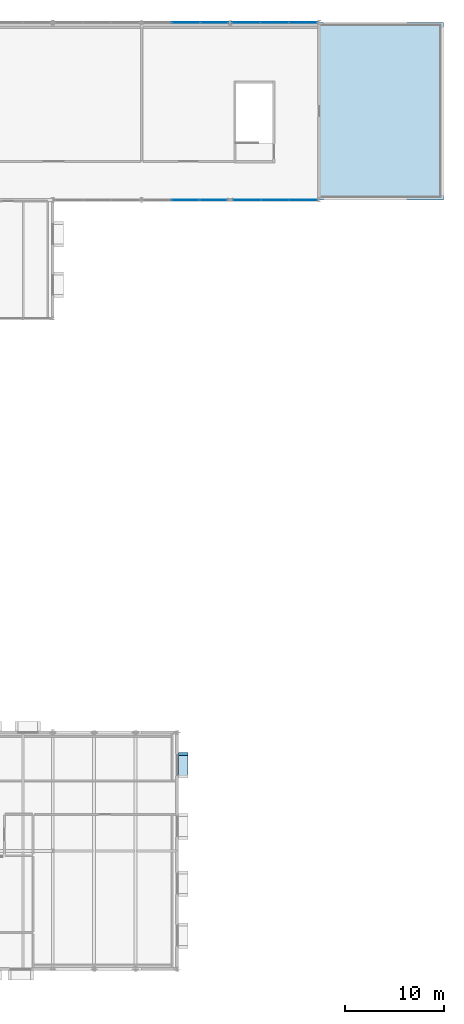
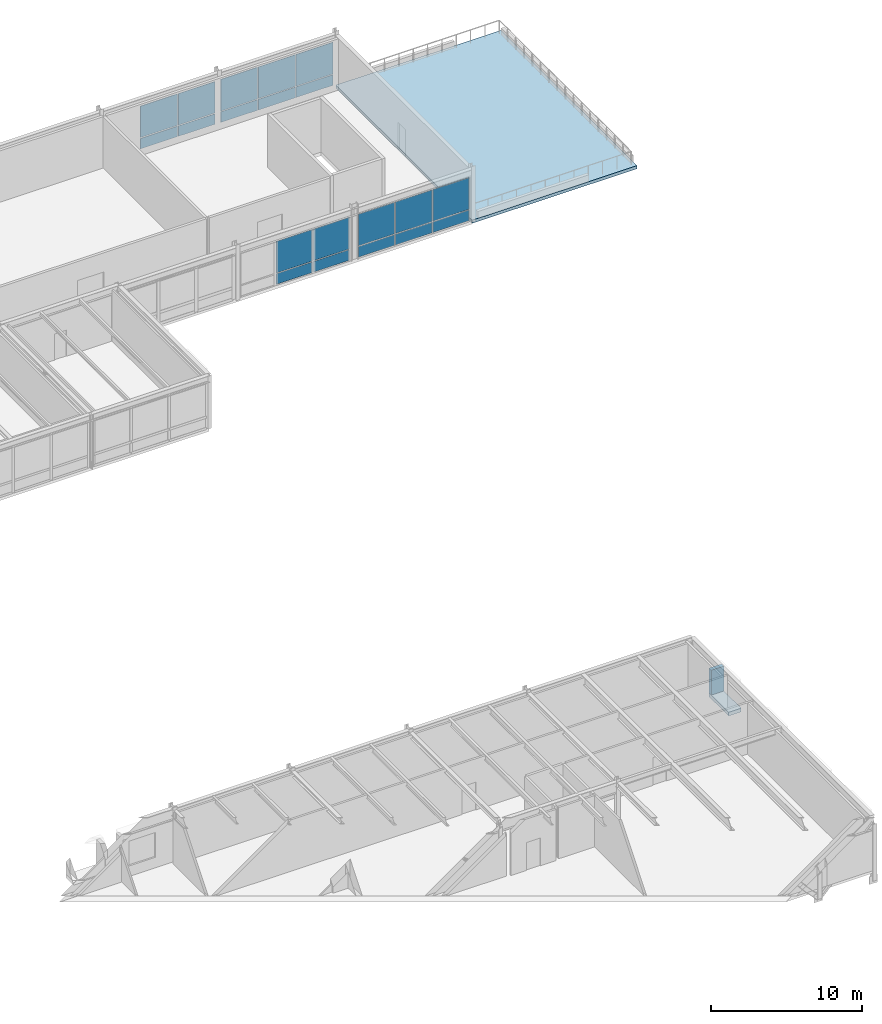
# One storey, part 45 of 67: 22 plates, 1 slab, 4 elements without a shape of their own.
"""IFC4 building model written with IfcOpenShell, lengths in metres."""

from ifc_helpers import new_model, si_unit, direction, frame, origin, origin_2d, place, context, subcontext, project, spatial, polyline, rectangle, outline, extrude, material, layer, layer_set, type_object, element, aggregate, save


model = new_model("IFC4")

# Units and contexts
model_context = context("Model", 3, precision=1e-05, world=origin(), true_north=direction((0.0, 1.0)))
body_context = subcontext(model_context, "Body", "Model", "MODEL_VIEW")
ifc_project = project(units=[si_unit("LENGTHUNIT", "METRE"), si_unit("AREAUNIT", "SQUARE_METRE"), si_unit("VOLUMEUNIT", "CUBIC_METRE"), si_unit("PLANEANGLEUNIT", "RADIAN"), si_unit("MASSUNIT", "GRAM", prefix="KILO")], contexts=[model_context])

# Site, building, storey
site_placement = place(None, origin())
site = spatial("IfcSite", under=ifc_project, at=site_placement, CompositionType="ELEMENT")
building_placement = place(site_placement, origin())
building = spatial("IfcBuilding", under=site, at=building_placement, Name="Montelvaro Courts of Justice", CompositionType="ELEMENT")
storey_placement = place(building_placement, frame((0.0, 0.0, 18.89990234375)))
storey = spatial("IfcBuildingStorey", under=building, at=storey_placement, Name="L04", CompositionType="ELEMENT", Elevation=18.89990234375)

# Curtain wall, plates
ifc_material_1 = material(Name="Anodised aluminium EN AW-6063", Category="aluminium")
ifc_layer_1 = layer(ifc_material_1, 0.159912109375)
ifc_layer_set_1 = layer_set([ifc_layer_1], Name="Anodised aluminium EN AW-6063")
curtain_wall_type_1 = type_object("IfcCurtainWallType", Name="CurtainWall_13_857x418", PredefinedType="USERDEFINED", material=ifc_layer_set_1)
curtain_wall_1_placement = place(storey_placement, origin())
curtain_wall_1 = element("IfcCurtainWall", 1, at=curtain_wall_1_placement, inside=storey, type_object=curtain_wall_type_1, Name="Curtain Wall CW-13 (L04)", ObjectType="CURTAIN WALL", PredefinedType="USERDEFINED")
ifc_material_2 = material(Name="Low-E solar control double glazing", Category="glass")
ifc_layer_2 = layer(ifc_material_2, 0.028076171875)
ifc_layer_set_2 = layer_set([ifc_layer_2], Name="Low-E solar control double glazing")
plate_type_1 = type_object("IfcPlateType", Name="CurtainWall_Glazed_Panel_28", PredefinedType="CURTAIN_PANEL", material=ifc_layer_set_2)
plate_1_placement = place(storey_placement, frame((148.449951171875, 78.0, 0.06005859375), z_axis=(0.0, 0.0, 1.0), x_axis=(1.0, 0.0, 0.0)))
plate_1 = element("IfcPlate", 2, at=plate_1_placement, type_object=plate_type_1, Name="CW-13 panel 2.1", PredefinedType="CURTAIN_PANEL", context=body_context, shape_type="SweptSolid", body=[
    extrude(rectangle(XDim=2.78173828125, YDim=0.028076171875, at=origin_2d()), origin(), (0.0, 0.0, 1.0), 0.860107421875),
])
plate_2_placement = place(storey_placement, frame((148.449951171875, 78.0, 0.97998046875), z_axis=(0.0, 0.0, 1.0), x_axis=(1.0, 0.0, 0.0)))
plate_2 = element("IfcPlate", 3, at=plate_2_placement, type_object=plate_type_1, Name="CW-13 panel 2.2", PredefinedType="CURTAIN_PANEL", context=body_context, shape_type="SweptSolid", body=[
    extrude(rectangle(XDim=2.78173828125, YDim=0.028076171875, at=origin_2d()), origin(), (0.0, 0.0, 1.0), 2.554931640625),
])
plate_3_placement = place(storey_placement, frame((151.287841796875, 78.0, 0.06005859375), z_axis=(0.0, 0.0, 1.0), x_axis=(1.0, 0.0, 0.0)))
plate_3 = element("IfcPlate", 4, at=plate_3_placement, type_object=plate_type_1, Name="CW-13 panel 3.1", PredefinedType="CURTAIN_PANEL", context=body_context, shape_type="SweptSolid", body=[
    extrude(rectangle(XDim=2.744140625, YDim=0.028076171875, at=origin_2d()), origin(), (0.0, 0.0, 1.0), 0.860107421875),
])
plate_4_placement = place(storey_placement, frame((151.287841796875, 78.0, 0.97998046875), z_axis=(0.0, 0.0, 1.0), x_axis=(1.0, 0.0, 0.0)))
plate_4 = element("IfcPlate", 5, at=plate_4_placement, type_object=plate_type_1, Name="CW-13 panel 3.2", PredefinedType="CURTAIN_PANEL", context=body_context, shape_type="SweptSolid", body=[
    extrude(rectangle(XDim=2.744140625, YDim=0.028076171875, at=origin_2d()), origin(), (0.0, 0.0, 1.0), 2.554931640625),
])
aggregate(curtain_wall_1, [plate_1, plate_2, plate_3, plate_4])

curtain_wall_2_placement = place(storey_placement, origin())
curtain_wall_2 = element("IfcCurtainWall", 6, at=curtain_wall_2_placement, inside=storey, type_object=curtain_wall_type_1, Name="Curtain Wall CW-13 (L04)", ObjectType="CURTAIN WALL", PredefinedType="USERDEFINED")
plate_5_placement = place(storey_placement, frame((154.708251953125, 78.0, 0.06005859375), z_axis=(0.0, 0.0, 1.0), x_axis=(1.0, 0.0, 0.0)))
plate_5 = element("IfcPlate", 7, at=plate_5_placement, type_object=plate_type_1, Name="CW-13 panel 1.1", PredefinedType="CURTAIN_PANEL", context=body_context, shape_type="SweptSolid", body=[
    extrude(rectangle(XDim=2.7666015625, YDim=0.028076171875, at=origin_2d()), origin(), (0.0, 0.0, 1.0), 0.860107421875),
])
plate_6_placement = place(storey_placement, frame((154.708251953125, 78.0, 0.97998046875), z_axis=(0.0, 0.0, 1.0), x_axis=(1.0, 0.0, 0.0)))
plate_6 = element("IfcPlate", 8, at=plate_6_placement, type_object=plate_type_1, Name="CW-13 panel 1.2", PredefinedType="CURTAIN_PANEL", context=body_context, shape_type="SweptSolid", body=[
    extrude(rectangle(XDim=2.7666015625, YDim=0.028076171875, at=origin_2d()), origin(), (0.0, 0.0, 1.0), 2.554931640625),
])
plate_7_placement = place(storey_placement, frame((157.550048828125, 78.0, 0.06005859375), z_axis=(0.0, 0.0, 1.0), x_axis=(1.0, 0.0, 0.0)))
plate_7 = element("IfcPlate", 9, at=plate_7_placement, type_object=plate_type_1, Name="CW-13 panel 2.1", PredefinedType="CURTAIN_PANEL", context=body_context, shape_type="SweptSolid", body=[
    extrude(rectangle(XDim=2.796630859375, YDim=0.028076171875, at=origin_2d()), origin(), (0.0, 0.0, 1.0), 0.860107421875),
])
plate_8_placement = place(storey_placement, frame((157.550048828125, 78.0, 0.97998046875), z_axis=(0.0, 0.0, 1.0), x_axis=(1.0, 0.0, 0.0)))
plate_8 = element("IfcPlate", 10, at=plate_8_placement, type_object=plate_type_1, Name="CW-13 panel 2.2", PredefinedType="CURTAIN_PANEL", context=body_context, shape_type="SweptSolid", body=[
    extrude(rectangle(XDim=2.796630859375, YDim=0.028076171875, at=origin_2d()), origin(), (0.0, 0.0, 1.0), 2.554931640625),
])
plate_9_placement = place(storey_placement, frame((160.3916015625, 78.0, 0.06005859375), z_axis=(0.0, 0.0, 1.0), x_axis=(1.0, 0.0, 0.0)))
plate_9 = element("IfcPlate", 11, at=plate_9_placement, type_object=plate_type_1, Name="CW-13 panel 3.1", PredefinedType="CURTAIN_PANEL", context=body_context, shape_type="SweptSolid", body=[
    extrude(rectangle(XDim=2.7666015625, YDim=0.028076171875, at=origin_2d()), origin(), (0.0, 0.0, 1.0), 0.860107421875),
])
plate_10_placement = place(storey_placement, frame((160.3916015625, 78.0, 0.97998046875), z_axis=(0.0, 0.0, 1.0), x_axis=(1.0, 0.0, 0.0)))
plate_10 = element("IfcPlate", 12, at=plate_10_placement, type_object=plate_type_1, Name="CW-13 panel 3.2", PredefinedType="CURTAIN_PANEL", context=body_context, shape_type="SweptSolid", body=[
    extrude(rectangle(XDim=2.7666015625, YDim=0.028076171875, at=origin_2d()), origin(), (0.0, 0.0, 1.0), 2.554931640625),
])
aggregate(curtain_wall_2, [plate_5, plate_6, plate_7, plate_8, plate_9, plate_10])

ifc_layer_3 = layer(ifc_material_1, 0.159912109375)
ifc_layer_set_3 = layer_set([ifc_layer_3], Name="Anodised aluminium EN AW-6063")
curtain_wall_type_2 = type_object("IfcCurtainWallType", Name="CurtainWall_14_867x418", PredefinedType="USERDEFINED", material=ifc_layer_set_3)
curtain_wall_3_placement = place(storey_placement, origin())
curtain_wall_3 = element("IfcCurtainWall", 13, at=curtain_wall_3_placement, inside=storey, type_object=curtain_wall_type_2, Name="Curtain Wall CW-14 (L04)", ObjectType="CURTAIN WALL", PredefinedType="USERDEFINED")
plate_11_placement = place(storey_placement, frame((160.375, 96.0, 0.06005859375), z_axis=(0.0, 0.0, 1.0), x_axis=(-1.0, 0.0, 0.0)))
plate_11 = element("IfcPlate", 14, at=plate_11_placement, type_object=plate_type_1, Name="CW-14 panel 1.1", PredefinedType="CURTAIN_PANEL", context=body_context, shape_type="SweptSolid", body=[
    extrude(rectangle(XDim=2.800048828125, YDim=0.028076171875, at=origin_2d()), origin(), (0.0, 0.0, 1.0), 0.860107421875),
])
plate_12_placement = place(storey_placement, frame((160.375, 96.0, 0.97998046875), z_axis=(0.0, 0.0, 1.0), x_axis=(-1.0, 0.0, 0.0)))
plate_12 = element("IfcPlate", 15, at=plate_12_placement, type_object=plate_type_1, Name="CW-14 panel 1.2", PredefinedType="CURTAIN_PANEL", context=body_context, shape_type="SweptSolid", body=[
    extrude(rectangle(XDim=2.800048828125, YDim=0.028076171875, at=origin_2d()), origin(), (0.0, 0.0, 1.0), 2.554931640625),
])
plate_13_placement = place(storey_placement, frame((157.5, 96.0, 0.06005859375), z_axis=(0.0, 0.0, 1.0), x_axis=(-1.0, 0.0, 0.0)))
plate_13 = element("IfcPlate", 16, at=plate_13_placement, type_object=plate_type_1, Name="CW-14 panel 2.1", PredefinedType="CURTAIN_PANEL", context=body_context, shape_type="SweptSolid", body=[
    extrude(rectangle(XDim=2.830078125, YDim=0.028076171875, at=origin_2d()), origin(), (0.0, 0.0, 1.0), 0.860107421875),
])
plate_14_placement = place(storey_placement, frame((157.5, 96.0, 0.97998046875), z_axis=(0.0, 0.0, 1.0), x_axis=(-1.0, 0.0, 0.0)))
plate_14 = element("IfcPlate", 17, at=plate_14_placement, type_object=plate_type_1, Name="CW-14 panel 2.2", PredefinedType="CURTAIN_PANEL", context=body_context, shape_type="SweptSolid", body=[
    extrude(rectangle(XDim=2.830078125, YDim=0.028076171875, at=origin_2d()), origin(), (0.0, 0.0, 1.0), 2.554931640625),
])
plate_15_placement = place(storey_placement, frame((154.625, 96.0, 0.06005859375), z_axis=(0.0, 0.0, 1.0), x_axis=(-1.0, 0.0, 0.0)))
plate_15 = element("IfcPlate", 18, at=plate_15_placement, type_object=plate_type_1, Name="CW-14 panel 3.1", PredefinedType="CURTAIN_PANEL", context=body_context, shape_type="SweptSolid", body=[
    extrude(rectangle(XDim=2.800048828125, YDim=0.028076171875, at=origin_2d()), origin(), (0.0, 0.0, 1.0), 0.860107421875),
])
plate_16_placement = place(storey_placement, frame((154.625, 96.0, 0.97998046875), z_axis=(0.0, 0.0, 1.0), x_axis=(-1.0, 0.0, 0.0)))
plate_16 = element("IfcPlate", 19, at=plate_16_placement, type_object=plate_type_1, Name="CW-14 panel 3.2", PredefinedType="CURTAIN_PANEL", context=body_context, shape_type="SweptSolid", body=[
    extrude(rectangle(XDim=2.800048828125, YDim=0.028076171875, at=origin_2d()), origin(), (0.0, 0.0, 1.0), 2.554931640625),
])
aggregate(curtain_wall_3, [plate_11, plate_12, plate_13, plate_14, plate_15, plate_16])

curtain_wall_4_placement = place(storey_placement, origin())
curtain_wall_4 = element("IfcCurtainWall", 20, at=curtain_wall_4_placement, inside=storey, type_object=curtain_wall_type_2, Name="Curtain Wall CW-14 (L04)", ObjectType="CURTAIN WALL", PredefinedType="USERDEFINED")
plate_17_placement = place(storey_placement, frame((151.375, 96.0, 0.0751953125), z_axis=(0.0, 0.0, 1.0), x_axis=(-1.0, 0.0, 0.0)))
plate_17 = element("IfcPlate", 21, at=plate_17_placement, type_object=plate_type_1, Name="CW-14 panel 1.1", PredefinedType="CURTAIN_PANEL", context=body_context, shape_type="SweptSolid", body=[
    extrude(rectangle(XDim=2.800048828125, YDim=0.028076171875, at=origin_2d()), origin(), (0.0, 0.0, 1.0), 0.83740234375),
])
plate_18_placement = place(storey_placement, frame((151.375, 96.0, 0.98779296875), z_axis=(0.0, 0.0, 1.0), x_axis=(-1.0, 0.0, 0.0)))
plate_18 = element("IfcPlate", 22, at=plate_18_placement, type_object=plate_type_1, Name="CW-14 panel 1.2", PredefinedType="CURTAIN_PANEL", context=body_context, shape_type="SweptSolid", body=[
    extrude(rectangle(XDim=2.800048828125, YDim=0.028076171875, at=origin_2d()), origin(), (0.0, 0.0, 1.0), 2.532470703125),
])
plate_19_placement = place(storey_placement, frame((148.5, 96.0, 0.0751953125), z_axis=(0.0, 0.0, 1.0), x_axis=(-1.0, 0.0, 0.0)))
plate_19 = element("IfcPlate", 23, at=plate_19_placement, type_object=plate_type_1, Name="CW-14 panel 2.1", PredefinedType="CURTAIN_PANEL", context=body_context, shape_type="SweptSolid", body=[
    extrude(rectangle(XDim=2.830078125, YDim=0.028076171875, at=origin_2d()), origin(), (0.0, 0.0, 1.0), 0.83740234375),
])
plate_20_placement = place(storey_placement, frame((148.5, 96.0, 0.98779296875), z_axis=(0.0, 0.0, 1.0), x_axis=(-1.0, 0.0, 0.0)))
plate_20 = element("IfcPlate", 24, at=plate_20_placement, type_object=plate_type_1, Name="CW-14 panel 2.2", PredefinedType="CURTAIN_PANEL", context=body_context, shape_type="SweptSolid", body=[
    extrude(rectangle(XDim=2.830078125, YDim=0.028076171875, at=origin_2d()), origin(), (0.0, 0.0, 1.0), 2.532470703125),
])
aggregate(curtain_wall_4, [plate_17, plate_18, plate_19, plate_20])

# Plates
ifc_material_3 = material(Name="White mineral precast concrete C45/55", Category="concrete")
ifc_layer_4 = layer(ifc_material_3, 0.300048828125)
ifc_layer_set_4 = layer_set([ifc_layer_4], Name="White mineral precast concrete C45/55")
plate_type_2 = type_object("IfcPlateType", Name="PrecastSquareFrame_300x950", PredefinedType="SHEET", material=ifc_layer_set_4)
plate_21_placement = place(storey_placement, frame((148.219970703125, 20.666015625, 0.55029296875), z_axis=(0.0, 0.0, 1.0), x_axis=(0.0, 1.0, 0.0)))
element("IfcPlate", 25, at=plate_21_placement, inside=storey, type_object=plate_type_2, Name="Graduated Square Window Frame PF-02 W-L04-228 BOT", PredefinedType="SHEET", context=body_context, shape_type="SweptSolid", body=[
    extrude(rectangle(XDim=2.60009765625, YDim=0.9599609375, at=origin_2d()), origin(), (0.0, 0.0, 1.0), 0.300048828125),
])
plate_22_placement = place(storey_placement, frame((148.219970703125, 21.81591796875, 0.85009765625), z_axis=(0.0, 0.0, 1.0), x_axis=(0.0, 1.0, 0.0)))
element("IfcPlate", 26, at=plate_22_placement, inside=storey, type_object=plate_type_2, Name="Graduated Square Window Frame PF-02 W-L04-228 R", PredefinedType="SHEET", context=body_context, shape_type="SweptSolid", body=[
    extrude(rectangle(XDim=0.300048828125, YDim=0.9599609375, at=origin_2d()), origin(), (0.0, 0.0, 1.0), 2.0),
])

# Slab
ifc_material_4 = material(Name="Concrete C35/45", Category="concrete")
ifc_layer_5 = layer(ifc_material_4, 0.25)
ifc_layer_set_5 = layer_set([ifc_layer_5], Name="Concrete C35/45")
slab_type = type_object("IfcSlabType", Name="TerraceSlab_250", PredefinedType="FLOOR", material=ifc_layer_set_5)
slab_placement = place(storey_placement, frame((0.0, 0.0, -0.25)))
element("IfcSlab", 27, at=slab_placement, inside=storey, type_object=slab_type, Name="East Courtrooms Overhang Terrace", PredefinedType="FLOOR", context=body_context, shape_type="SweptSolid", body=[
    extrude(outline(polyline([(162.0, 78.0), (174.60009765625, 78.0), (174.60009765625, 96.0), (162.0, 96.0), (162.0, 78.0)])), origin(), (0.0, 0.0, 1.0), 0.25),
])

save(model, "model.ifc")
